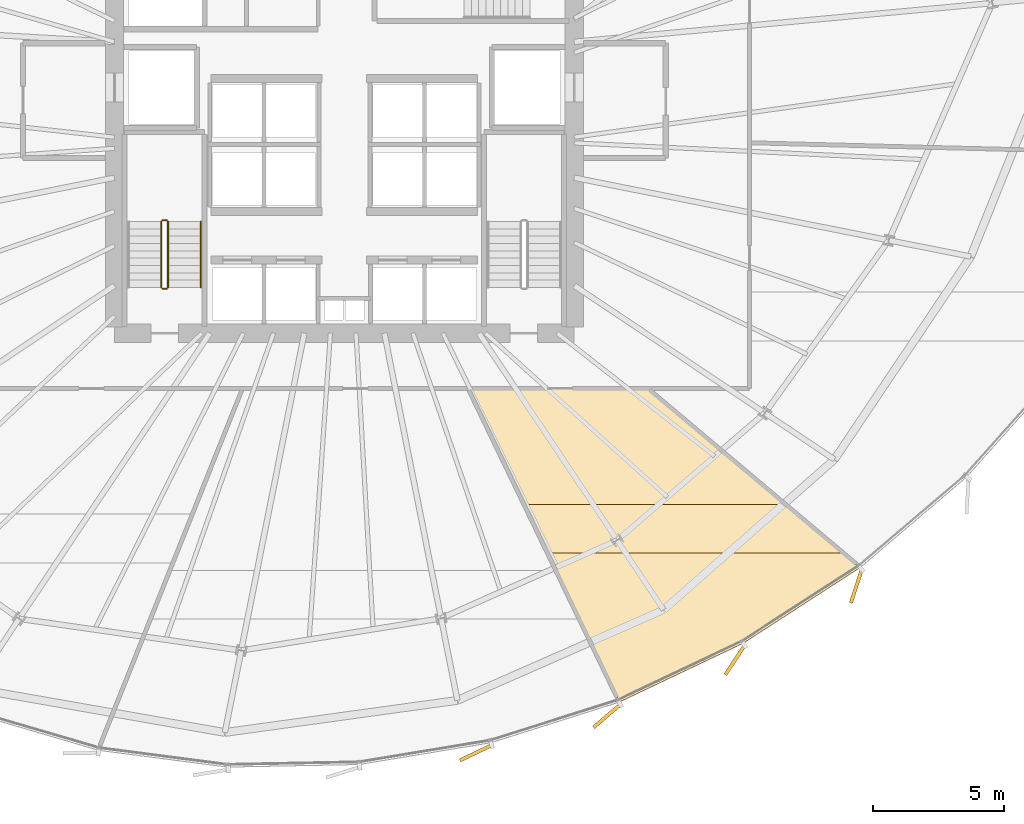
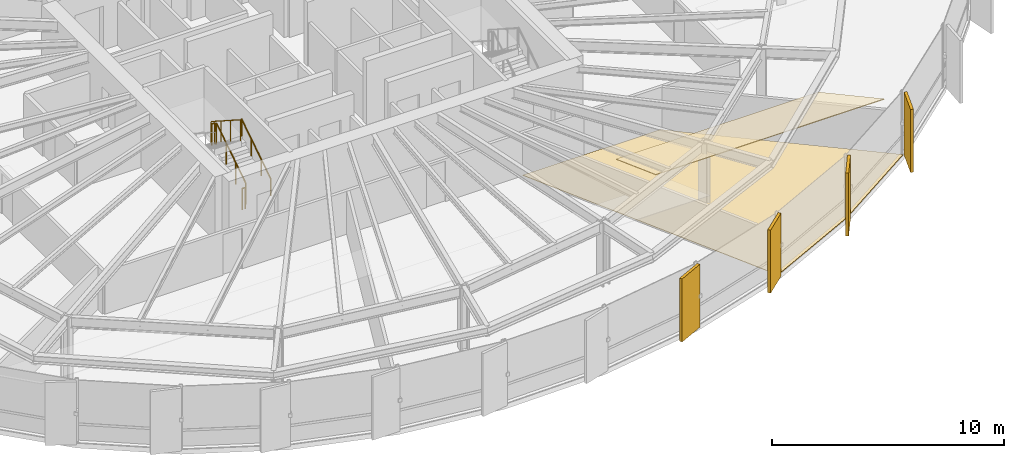
# One storey, part 33 of 35: 6 coverings, 5 railings.
"""IFC4 building model written with IfcOpenShell, lengths in metres."""

from ifc_helpers import new_model, si_unit, direction, frame, origin, origin_2d, place, context, subcontext, project, spatial, polyline, rectangle, circle, outline, extrude, source, transform, mapped, material, layer, layer_set, type_object, element, save


model = new_model("IFC4")

# Units and contexts
model_context = context("Model", 3, precision=1e-05, world=origin(), true_north=direction((0.0, 1.0)))
body_context = subcontext(model_context, "Body", "Model", "MODEL_VIEW")
ifc_project = project(units=[si_unit("LENGTHUNIT", "METRE"), si_unit("AREAUNIT", "SQUARE_METRE"), si_unit("VOLUMEUNIT", "CUBIC_METRE"), si_unit("PLANEANGLEUNIT", "RADIAN"), si_unit("MASSUNIT", "GRAM", prefix="KILO"), si_unit("THERMODYNAMICTEMPERATUREUNIT", "KELVIN")], contexts=[model_context])

# Site, building, storey
site_placement = place(None, origin())
site = spatial("IfcSite", under=ifc_project, at=site_placement, CompositionType="ELEMENT")
building_placement = place(site_placement, origin())
building = spatial("IfcBuilding", under=site, at=building_placement, Name="Kethvar Cultural Tower", CompositionType="ELEMENT")
storey_placement = place(building_placement, frame((0.0, 0.0, 89.199951171875)))
storey = spatial("IfcBuildingStorey", under=building, at=storey_placement, Name="L21", CompositionType="ELEMENT", Elevation=89.199951171875)

# Coverings
ifc_material_1 = material(Name="Acoustic Mineral Fibre Ceiling")
ifc_layer_1 = layer(ifc_material_1, 0.0400390625, Name="Acoustic Mineral Fibre Ceiling")
ifc_layer_set_1 = layer_set([ifc_layer_1], Name="Acoustic Mineral Fibre Ceiling (40 mm)")
covering_type_1 = type_object("IfcCoveringType", Name="CV-ACOUSTIC-CEIL", PredefinedType="CEILING", material=ifc_layer_set_1)
covering_1_placement = place(storey_placement, frame((0.0, 0.0, 2.780029296875)))
element("IfcCovering", 1, at=covering_1_placement, inside=storey, type_object=covering_type_1, Name="L21 Room 03 Acoustic Ceiling Panel", PredefinedType="CEILING", context=body_context, shape_type="SweptSolid", body=[
    extrude(outline(polyline([(53.650634765625, 13.546875), (63.70263671875, 13.546875), (65.916259765625, 11.677001953125), (54.552490234375, 11.677001953125), (53.650634765625, 13.546875)])), origin(), (0.0, 0.0, 1.0), 0.0400390625),
])
ifc_material_2 = material(Name="Architectural Oak Timber", Category="wood")
ifc_layer_2 = layer(ifc_material_2, 0.02490234375, Name="Architectural Oak Timber", Category="wood")
ifc_layer_set_2 = layer_set([ifc_layer_2], Name="Architectural Oak Timber (25 mm)")
covering_type_2 = type_object("IfcCoveringType", Name="CV-OAK-FLOOR", PredefinedType="FLOORING", material=ifc_layer_set_2)
covering_2_placement = place(storey_placement, origin())
element("IfcCovering", 2, at=covering_2_placement, inside=storey, type_object=covering_type_2, Name="L21 Room 03 Floor Finish", PredefinedType="FLOORING", context=body_context, shape_type="SweptSolid", body=[
    extrude(outline(polyline([(62.06884765625, 8.2333984375), (57.3408203125, 5.986328125), (51.56689453125, 17.9599609375), (58.4169921875, 17.9599609375), (66.519287109375, 11.114990234375), (62.06884765625, 8.2333984375)])), origin(), (0.0, 0.0, 1.0), 0.025146484375),
])

# Railings
ifc_material_3 = material(Name="Steel S355J2", Category="steel")
railing_type_1 = type_object("IfcRailingType", Name="RL-STAIR-GUARD", PredefinedType="BALUSTRADE", material=ifc_material_3)
railing_1_placement = place(storey_placement, frame((40.050048828125, 21.85009765625, 0.179931640625)))
element("IfcRailing", 3, at=railing_1_placement, inside=storey, type_object=railing_type_1, Name="L21 ST-01 stair guard 1", PredefinedType="BALUSTRADE", context=body_context, shape_type="SweptSolid", body=[
    extrude(circle(Radius=0.02392578125, at=origin_2d()), frame((0.0, 0.0, 1.09619140625), z_axis=(0.0, 0.841162588446, 0.540782303519), x_axis=(-1.0, 0.0, 0.0)), (0.0, 0.0, 1.0), 2.995849609375),
    extrude(circle(Radius=0.02099609375, at=origin_2d()), origin(), (0.0, 0.0, 1.0), 1.072021484375),
    extrude(circle(Radius=0.02099609375, at=origin_2d()), frame((0.0, 0.840087890625, 0.5400390625)), (0.0, 0.0, 1.0), 1.072021484375),
    extrude(circle(Radius=0.02099609375, at=origin_2d()), frame((0.0, 1.679931640625, 1.080078125)), (0.0, 0.0, 1.0), 1.072021484375),
    extrude(circle(Radius=0.02099609375, at=origin_2d()), frame((0.0, 2.52001953125, 1.6201171875)), (0.0, 0.0, 1.0), 1.072021484375),
])
railing_2_placement = place(storey_placement, frame((40.0, 24.419921875, 1.800048828125)))
element("IfcRailing", 4, at=railing_2_placement, inside=storey, type_object=railing_type_1, Name="L21 ST-01 stair guard 2", PredefinedType="BALUSTRADE", context=body_context, shape_type="SweptSolid", body=[
    extrude(circle(Radius=0.02392578125, at=origin_2d()), frame((0.0, 0.0, 1.09619140625), z_axis=(-1.0, 0.0, 0.0), x_axis=(0.0, -1.0, 0.0)), (0.0, 0.0, 1.0), 0.159912109375),
    extrude(circle(Radius=0.02099609375, at=origin_2d()), origin(), (0.0, 0.0, 1.0), 1.072021484375),
    extrude(circle(Radius=0.02099609375, at=origin_2d()), frame((-0.159912109375, 0.0, 0.0)), (0.0, 0.0, 1.0), 1.072021484375),
])
railing_3_placement = place(storey_placement, frame((39.7900390625, 24.3701171875, 1.97998046875)))
element("IfcRailing", 5, at=railing_3_placement, inside=storey, type_object=railing_type_1, Name="L21 ST-01 stair guard 3", PredefinedType="BALUSTRADE", context=body_context, shape_type="SweptSolid", body=[
    extrude(circle(Radius=0.02392578125, at=origin_2d()), frame((0.0, 0.0, 1.09619140625), z_axis=(0.0, -0.841162588446, 0.540782303519), x_axis=(1.0, 0.0, 0.0)), (0.0, 0.0, 1.0), 2.995849609375),
    extrude(circle(Radius=0.02099609375, at=origin_2d()), origin(), (0.0, 0.0, 1.0), 1.072021484375),
    extrude(circle(Radius=0.02099609375, at=origin_2d()), frame((0.0, -0.840087890625, 0.5400390625)), (0.0, 0.0, 1.0), 1.072021484375),
    extrude(circle(Radius=0.02099609375, at=origin_2d()), frame((0.0, -1.679931640625, 1.080078125)), (0.0, 0.0, 1.0), 1.072021484375),
    extrude(circle(Radius=0.02099609375, at=origin_2d()), frame((0.0, -2.52001953125, 1.6201171875)), (0.0, 0.0, 1.0), 1.072021484375),
])
railing_4_placement = place(storey_placement, frame((40.0, 21.800048828125, 0.0)))
element("IfcRailing", 6, at=railing_4_placement, inside=storey, type_object=railing_type_1, Name="L21 ST-01 stair guard 4", PredefinedType="BALUSTRADE", context=body_context, shape_type="SweptSolid", body=[
    extrude(circle(Radius=0.02392578125, at=origin_2d()), frame((0.0, 0.0, 1.09619140625), z_axis=(-1.0, 0.0, 0.0), x_axis=(0.0, -1.0, 0.0)), (0.0, 0.0, 1.0), 0.159912109375),
    extrude(circle(Radius=0.02099609375, at=origin_2d()), origin(), (0.0, 0.0, 1.0), 1.072021484375),
    extrude(circle(Radius=0.02099609375, at=origin_2d()), frame((-0.159912109375, 0.0, 0.0)), (0.0, 0.0, 1.0), 1.072021484375),
])
railing_type_2 = type_object("IfcRailingType", Name="RL-STAIR-HANDRAIL", PredefinedType="HANDRAIL", material=ifc_material_3)
railing_5_placement = place(storey_placement, frame((41.300048828125, 21.85009765625, 0.179931640625)))
element("IfcRailing", 7, at=railing_5_placement, inside=storey, type_object=railing_type_2, Name="L21 ST-01 stair handrail 1", PredefinedType="HANDRAIL", context=body_context, shape_type="SweptSolid", body=[
    extrude(circle(Radius=0.02392578125, at=origin_2d()), frame((0.0, 0.0, 0.8759765625), z_axis=(0.0, 0.841162588446, 0.540782303519), x_axis=(-1.0, 0.0, 0.0)), (0.0, 0.0, 1.0), 2.995849609375),
    extrude(circle(Radius=0.02099609375, at=origin_2d()), origin(), (0.0, 0.0, 1.0), 0.851806640625),
    extrude(circle(Radius=0.02099609375, at=origin_2d()), frame((0.0, 0.840087890625, 0.5400390625)), (0.0, 0.0, 1.0), 0.851806640625),
    extrude(circle(Radius=0.02099609375, at=origin_2d()), frame((0.0, 1.679931640625, 1.080078125)), (0.0, 0.0, 1.0), 0.851806640625),
    extrude(circle(Radius=0.02099609375, at=origin_2d()), frame((0.0, 2.52001953125, 1.6201171875)), (0.0, 0.0, 1.0), 0.851806640625),
])

# Coverings
ifc_material_4 = material(Name="Extruded Architectural Terracotta", Category="masonry")
ifc_layer_3 = layer(ifc_material_4, 0.135009765625, Name="Extruded Architectural Terracotta", Category="masonry")
ifc_layer_set_3 = layer_set([ifc_layer_3], Name="Extruded Architectural Terracotta (135 mm)")
covering_type_3 = type_object("IfcCoveringType", Name="Terracotta Facade Fin FIN-02", PredefinedType="CLADDING", material=ifc_layer_set_3)
shared_shape = source(origin(), body_context, "Body", "SweptSolid", [
    extrude(rectangle(XDim=1.35009765625, YDim=0.135009765625, at=origin_2d()), origin(), (0.0, 0.0, 1.0), 3.31005859375),
])
for number, where, z_axis, x_axis, name in (
    (8, (51.832275390625, 4.036376953125, 0.02001953125), (0.0, 0.0, 1.0), (-0.902058642343, -0.431613491188, 0.0), "L21 Vertical Terracotta Fin 5.3"),
    (9, (56.853759765625, 5.44775390625, 0.02001953125), (0.0, 0.0, 1.0), (-0.758475670184, -0.65170135625, 0.0), "L21 Vertical Terracotta Fin 5.4"),
    (10, (61.75048828125, 7.585205078125, 0.02001953125), (0.0, 0.0, 1.0), (-0.550772123421, -0.834655658378, 0.0), "L21 Vertical Terracotta Fin 5.5"),
    (11, (66.396240234375, 10.409912109375, 0.02001953125), (0.0, 0.0, 1.0), (-0.308850998993, -0.951110435449, 0.0), "L21 Vertical Terracotta Fin 5.6"),
):
    element("IfcCovering", number, at=place(storey_placement, frame(where, z_axis=z_axis, x_axis=x_axis)), inside=storey, type_object=covering_type_3, Name=name, PredefinedType="CLADDING", context=body_context, shape_type="MappedRepresentation", body=[
        mapped(shared_shape, transform((0.0, 0.0, 0.0), scale=1.0)),
    ])

save(model, "model.ifc")
